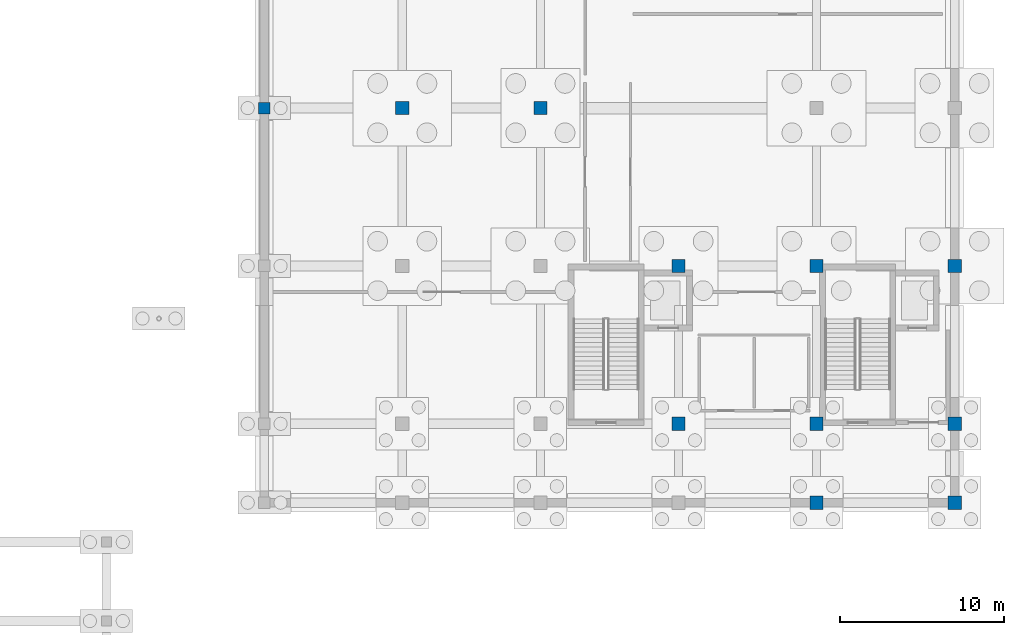
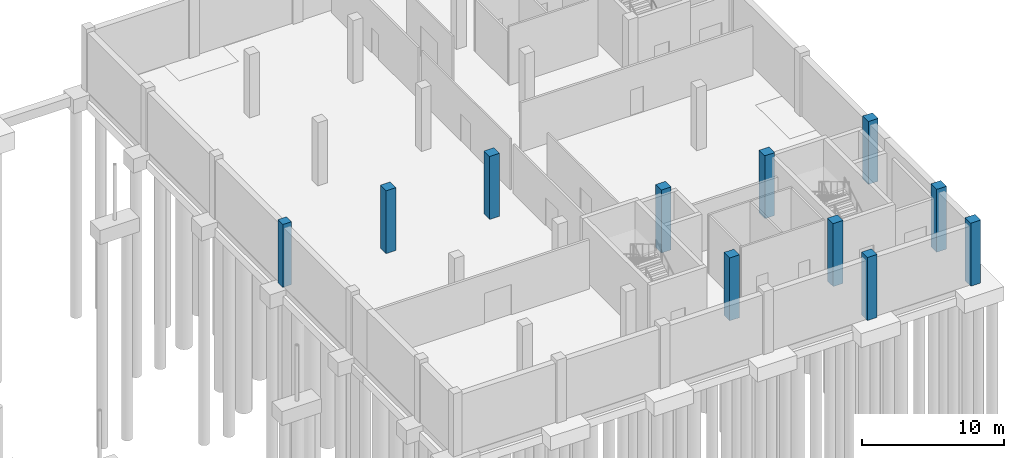
# One storey, part 19 of 41: 11 columns.
"""IFC4 building model written with IfcOpenShell, lengths in metres."""

from ifc_helpers import new_model, si_unit, direction, frame, origin, origin_2d, place, context, subcontext, project, spatial, rectangle, extrude, material, material_profile, profile_set, type_object, element, save


model = new_model("IFC4")

# Units and contexts
model_context = context("Model", 3, precision=1e-05, world=origin(), true_north=direction((0.0, 1.0)))
body_context = subcontext(model_context, "Body", "Model", "MODEL_VIEW")
ifc_project = project(units=[si_unit("LENGTHUNIT", "METRE"), si_unit("AREAUNIT", "SQUARE_METRE"), si_unit("VOLUMEUNIT", "CUBIC_METRE"), si_unit("PLANEANGLEUNIT", "RADIAN"), si_unit("MASSUNIT", "GRAM", prefix="KILO")], contexts=[model_context])

# Site, building, storey
site_placement = place(None, origin())
site = spatial("IfcSite", under=ifc_project, at=site_placement, CompositionType="ELEMENT")
building_placement = place(site_placement, origin())
building = spatial("IfcBuilding", under=site, at=building_placement, Name="Shalvenor Court Art Gallery", CompositionType="ELEMENT")
storey_placement = place(building_placement, frame((0.0, 0.0, -5.39990234375)))
storey = spatial("IfcBuildingStorey", under=building, at=storey_placement, Name="B01", CompositionType="ELEMENT", Elevation=-5.39990234375)

# Columns
ifc_material_1 = material(Name="Concrete C40/50", Category="concrete")
ifc_material_profile_1 = material_profile(ifc_material_1, rectangle(XDim=0.800048828125, YDim=0.800048828125, at=origin_2d()), Name="RC 800x800")
ifc_profile_set_1 = profile_set([ifc_material_profile_1], Name="Concrete C40/50")
column_type_1 = type_object("IfcColumnType", Name="C-01", PredefinedType="COLUMN", material=ifc_profile_set_1)
for number, where, z_axis, x_axis, name in (
    (1, (142.800048828125, 69.60009765625, 0.0), (0.0, 0.0, 1.0), (1.0, 0.0, 0.0), "B01 Column COL-B01-C-01-0569"),
    (2, (151.199951171875, 69.60009765625, 0.0), (0.0, 0.0, 1.0), (1.0, 0.0, 0.0), "B01 Column COL-B01-C-01-0611"),
    (3, (159.60009765625, 50.39990234375, 0.0), (0.0, 0.0, 1.0), (1.0, 0.0, 0.0), "B01 Column COL-B01-C-01-0642"),
    (4, (159.60009765625, 60.0, 0.0), (0.0, 0.0, 1.0), (1.0, 0.0, 0.0), "B01 Column COL-B01-C-01-0649"),
    (5, (168.0, 45.60009765625, 0.0), (0.0, 0.0, 1.0), (1.0, 0.0, 0.0), "B01 Column COL-B01-C-01-0677"),
    (6, (168.0, 50.39990234375, 0.0), (0.0, 0.0, 1.0), (1.0, 0.0, 0.0), "B01 Column COL-B01-C-01-0684"),
    (7, (168.0, 60.0, 0.0), (0.0, 0.0, 1.0), (1.0, 0.0, 0.0), "B01 Column COL-B01-C-01-0691"),
):
    element("IfcColumn", number, at=place(storey_placement, frame(where, z_axis=z_axis, x_axis=x_axis)), inside=storey, type_object=column_type_1, Name=name, PredefinedType="COLUMN", context=body_context, shape_type="SweptSolid", body=[
        extrude(rectangle(XDim=0.800048828125, YDim=0.800048828125, at=origin_2d()), origin(), (0.0, 0.0, 1.0), 5.39990234375),
    ])
ifc_material_2 = material(Name="Concrete C40/50", Category="concrete")
ifc_material_profile_2 = material_profile(ifc_material_2, rectangle(XDim=0.800048828125, YDim=0.800048828125, at=origin_2d()), Name="RC 800x800")
ifc_profile_set_2 = profile_set([ifc_material_profile_2], Name="Concrete C40/50")
column_type_2 = type_object("IfcColumnType", Name="C-01E", PredefinedType="COLUMN", material=ifc_profile_set_2)
for number, where, z_axis, x_axis, name in (
    (8, (176.39990234375, 45.60009765625, 0.0), (0.0, 0.0, 1.0), (1.0, 0.0, 0.0), "B01 Column COL-B01-C-01E-0726"),
    (9, (176.39990234375, 50.39990234375, 0.0), (0.0, 0.0, 1.0), (1.0, 0.0, 0.0), "B01 Column COL-B01-C-01E-0733"),
    (10, (176.39990234375, 60.0, 0.0), (0.0, 0.0, 1.0), (1.0, 0.0, 0.0), "B01 Column COL-B01-C-01E-0740"),
):
    element("IfcColumn", number, at=place(storey_placement, frame(where, z_axis=z_axis, x_axis=x_axis)), inside=storey, type_object=column_type_2, Name=name, PredefinedType="COLUMN", context=body_context, shape_type="SweptSolid", body=[
        extrude(rectangle(XDim=0.800048828125, YDim=0.800048828125, at=origin_2d()), origin(), (0.0, 0.0, 1.0), 5.39990234375),
    ])
ifc_material_3 = material(Name="Concrete C40/50", Category="concrete")
ifc_material_profile_3 = material_profile(ifc_material_3, rectangle(XDim=0.699951171875, YDim=0.699951171875, at=origin_2d()), Name="RC 700x700")
ifc_profile_set_3 = profile_set([ifc_material_profile_3], Name="Concrete C40/50")
column_type_3 = type_object("IfcColumnType", Name="C-02E", PredefinedType="COLUMN", material=ifc_profile_set_3)
column_placement = place(storey_placement, frame((134.39990234375, 69.60009765625, 0.0), z_axis=(0.0, 0.0, 1.0), x_axis=(1.0, 0.0, 0.0)))
element("IfcColumn", 11, at=column_placement, inside=storey, type_object=column_type_3, Name="B01 Column COL-B01-C-02E-0543", PredefinedType="COLUMN", context=body_context, shape_type="SweptSolid", body=[
    extrude(rectangle(XDim=0.699951171875, YDim=0.699951171875, at=origin_2d()), origin(), (0.0, 0.0, 1.0), 5.39990234375),
])

save(model, "model.ifc")
